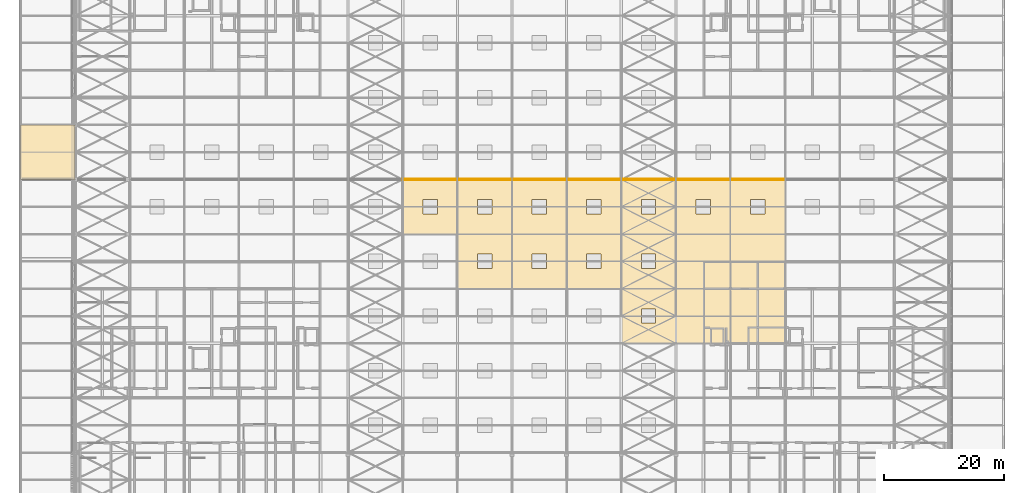
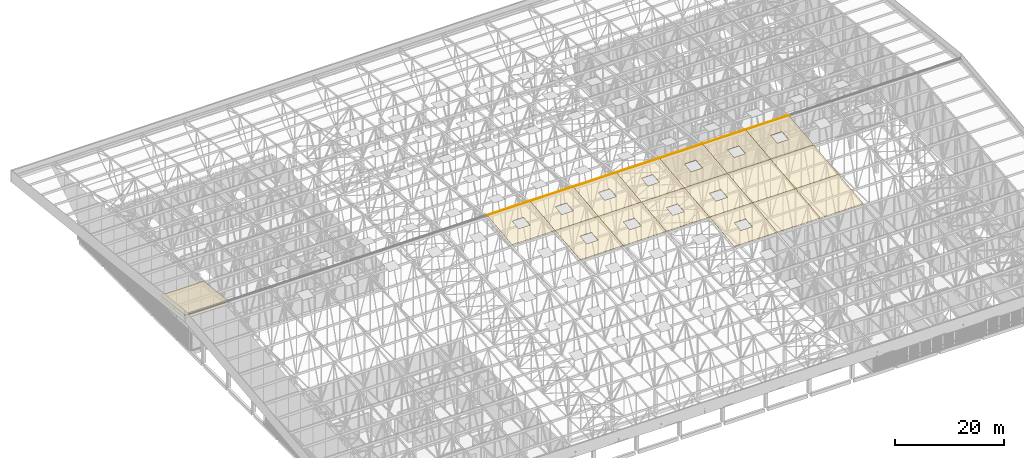
# One storey, part 469 of 500: 33 coverings.
"""IFC4 building model written with IfcOpenShell, lengths in metres."""

import ifcopenshell
import ifcopenshell.guid

model = None  # the IFC model being written
_history = None  # IfcOwnerHistory: only IFC2X3 demands one
_inside = {}  # id of a spatial element -> (the spatial element, [elements in it])
_under = {}  # id of a project, library or spatial element -> (it, [spatial elements below it])
_declared = {}  # id of a project -> (the project, [libraries it declares])
_typed = {}  # id of a type object -> (the type object, [elements of that type])
_made_of = {}  # id of a material, layer set ... -> (it, [elements and type objects made of it])


def new_model(schema):
    """Start an empty IFC model of exactly this schema.

    Asked for "IFC4X3", IfcOpenShell would pick the latest addendum, in which some entities
    have other attributes; the version numbers below select the first issue.
    IFC2X3 requires an IfcOwnerHistory on every rooted entity: one is made here for all.
    """
    global model, _history
    if schema == "IFC4X3":
        model = ifcopenshell.file(schema_version=(4, 3, 0, 0))
    else:
        model = ifcopenshell.file(schema=schema)
    _inside.clear()
    _under.clear()
    _declared.clear()
    _typed.clear()
    _made_of.clear()
    _history = None
    if model.schema == "IFC2X3":
        org = make("IfcOrganization", Name="unknown")
        user = make(
            "IfcPersonAndOrganization",
            ThePerson=make("IfcPerson", FamilyName="unknown"),
            TheOrganization=org,
        )
        app = make(
            "IfcApplication",
            ApplicationDeveloper=org,
            Version="unknown",
            ApplicationFullName="unknown",
            ApplicationIdentifier="unknown",
        )
        _history = make(
            "IfcOwnerHistory",
            OwningUser=user,
            OwningApplication=app,
            ChangeAction="ADDED",
            CreationDate=0,
        )
    return model


def make(cls, **values):
    """One entity of the class cls with the attributes given. An attribute that is None is left unset."""
    return model.create_entity(
        cls, **{name: value for name, value in values.items() if value is not None}
    )


def rooted(cls, **values):
    """An entity with a GlobalId (a new one), such as an element, a storey or a relation."""
    return make(cls, GlobalId=ifcopenshell.guid.new(), OwnerHistory=_history, **values)


def si_unit(unit_type, name, prefix=None):
    """IfcSIUnit, for example si_unit("LENGTHUNIT", "METRE", prefix="MILLI")."""
    return make("IfcSIUnit", UnitType=unit_type, Prefix=prefix, Name=name)


def assignment(units):
    """IfcUnitAssignment: the units of a project."""
    return None if units is None else make("IfcUnitAssignment", Units=units)


def point(xyz):
    """IfcCartesianPoint."""
    return None if xyz is None else make("IfcCartesianPoint", Coordinates=xyz)


def direction(xyz):
    """IfcDirection."""
    return None if xyz is None else make("IfcDirection", DirectionRatios=xyz)


def frame(location, z_axis=None, x_axis=None):
    """IfcAxis2Placement3D, a coordinate frame: its origin and axes. An axis left out is left unset."""
    return make(
        "IfcAxis2Placement3D",
        Location=point(location),
        Axis=direction(z_axis),
        RefDirection=direction(x_axis),
    )


def origin():
    """The frame at (0, 0, 0) with its axes left unset."""
    return frame((0.0, 0.0, 0.0))


def place(relative_to, where):
    """IfcLocalPlacement: puts the frame where relative to a parent placement (None: the world)."""
    return make(
        "IfcLocalPlacement", PlacementRelTo=relative_to, RelativePlacement=where
    )


def context(
    kind, dimensions, precision=None, world=None, true_north=None, identifier=None
):
    """IfcGeometricRepresentationContext, for example the 3D "Model" context."""
    return make(
        "IfcGeometricRepresentationContext",
        ContextIdentifier=identifier,
        ContextType=kind,
        CoordinateSpaceDimension=dimensions,
        Precision=precision,
        WorldCoordinateSystem=world,
        TrueNorth=true_north,
    )


def subcontext(parent, identifier, kind, view, scale=None):
    """IfcGeometricRepresentationSubContext, for example "Body" below "Model"."""
    return make(
        "IfcGeometricRepresentationSubContext",
        ContextIdentifier=identifier,
        ContextType=kind,
        ParentContext=parent,
        TargetScale=scale,
        TargetView=view,
    )


def project(units=None, contexts=None):
    """IfcProject with its units and contexts."""
    return rooted(
        "IfcProject",
        Name="project",
        RepresentationContexts=contexts,
        UnitsInContext=assignment(units),
    )


def spatial(cls, under=None, at=None, **own):
    """A site, building, storey or space (cls), placed at a placement, below another one or the project."""
    s = rooted(cls, ObjectPlacement=at, **own)
    if under is not None:
        _under.setdefault(under.id(), (under, []))[1].append(s)
    return s


def polyline(points):
    """IfcPolyline through the points."""
    return make("IfcPolyline", Points=[point(p) for p in points])


def outline(outer, holes=None, kind="AREA"):
    """IfcArbitraryClosedProfileDef: a profile drawn as a closed curve; with holes, ...WithVoids."""
    if holes is None:
        return make("IfcArbitraryClosedProfileDef", ProfileType=kind, OuterCurve=outer)
    return make(
        "IfcArbitraryProfileDefWithVoids",
        ProfileType=kind,
        OuterCurve=outer,
        InnerCurves=holes,
    )


def extrude(swept, where, along, depth):
    """IfcExtrudedAreaSolid: the profile swept, set in the frame where, extruded along a direction by depth."""
    return make(
        "IfcExtrudedAreaSolid",
        SweptArea=swept,
        Position=where,
        ExtrudedDirection=direction(along),
        Depth=depth,
    )


def shape(context_of_items, identifier, shape_type, items):
    """IfcShapeRepresentation: the items that make up one representation, for example the "Body"."""
    return make(
        "IfcShapeRepresentation",
        ContextOfItems=context_of_items,
        RepresentationIdentifier=identifier,
        RepresentationType=shape_type,
        Items=items,
    )


def material(Name=None, Category=None):
    """IfcMaterial."""
    return make("IfcMaterial", Name=Name, Category=Category)


def layer(
    of_material, thickness, ventilated=None, Name=None, Category=None, Priority=None
):
    """IfcMaterialLayer: one layer of a wall or slab, of a material (None: an air gap)."""
    return make(
        "IfcMaterialLayer",
        Material=of_material,
        LayerThickness=thickness,
        IsVentilated=ventilated,
        Name=Name,
        Category=Category,
        Priority=Priority,
    )


def layer_set(layers, Name=None):
    """IfcMaterialLayerSet."""
    return make("IfcMaterialLayerSet", MaterialLayers=layers, LayerSetName=Name)


def made_of(thing, what):
    """Note that an element or type object is made of a material, layer set ...; save() writes the relation."""
    if what is not None:
        _made_of.setdefault(what.id(), (what, []))[1].append(thing)
    return thing


def type_object(cls, material=None, **own):
    """A type object (cls), such as IfcWallType, which elements share."""
    return made_of(rooted(cls, **own), material)


def element(
    cls,
    number,
    at=None,
    inside=None,
    cuts=None,
    type_object=None,
    material=None,
    context=None,
    identifier="Body",
    shape_type=None,
    held_by="IfcProductDefinitionShape",
    body=None,
    shapes=None,
    **own,
):
    """One element of the class cls, such as IfcWall. Its Tag is "e" and its number.

    at: its placement. inside: the storey or other place that contains it. cuts: it is an
    opening in that element (IfcRelVoidsElement). A single representation is given by context,
    identifier, shape_type and body (its items); several are given by shapes. held_by: the class
    of the entity that holds the representations. save() writes the other relations.
    """
    e = rooted(cls, Tag="e%d" % number, ObjectPlacement=at, **own)
    if body is not None:
        shapes = [shape(context, identifier, shape_type, body)]
    if shapes is not None:
        e.Representation = make(held_by, Representations=shapes)
    if inside is not None:
        _inside.setdefault(inside.id(), (inside, []))[1].append(e)
    if cuts is not None:
        rooted(
            "IfcRelVoidsElement", RelatingBuildingElement=cuts, RelatedOpeningElement=e
        )
    if type_object is not None:
        _typed.setdefault(type_object.id(), (type_object, []))[1].append(e)
    return made_of(e, material)


def aggregate(whole, parts):
    """IfcRelAggregates: a whole, such as a stair, and the parts it consists of."""
    return rooted("IfcRelAggregates", RelatingObject=whole, RelatedObjects=parts)


def save(model, path):
    """Write the relations noted so far, then the file.

    IfcRelAggregates (storeys below a building ...), IfcRelContainedInSpatialStructure (elements
    in a storey), IfcRelDefinesByType, IfcRelAssociatesMaterial and IfcRelDeclares: one each for
    every whole, place, type object, material and project.
    """
    for whole, parts in _under.values():
        aggregate(whole, parts)
    for where, things in _inside.values():
        rooted(
            "IfcRelContainedInSpatialStructure",
            RelatedElements=things,
            RelatingStructure=where,
        )
    for kind, things in _typed.values():
        rooted("IfcRelDefinesByType", RelatedObjects=things, RelatingType=kind)
    for what, things in _made_of.values():
        rooted("IfcRelAssociatesMaterial", RelatedObjects=things, RelatingMaterial=what)
    for by, libraries in _declared.values():
        rooted("IfcRelDeclares", RelatingContext=by, RelatedDefinitions=libraries)
    model.write(path)


model = new_model("IFC4")

# Units and contexts
model_context = context("Model", 3, precision=1e-05, world=origin(), true_north=direction((0.0, 1.0)))
body_context = subcontext(model_context, "Body", "Model", "MODEL_VIEW")
ifc_project = project(units=[si_unit("LENGTHUNIT", "METRE"), si_unit("AREAUNIT", "SQUARE_METRE"), si_unit("VOLUMEUNIT", "CUBIC_METRE"), si_unit("PLANEANGLEUNIT", "RADIAN"), si_unit("MASSUNIT", "GRAM", prefix="KILO")], contexts=[model_context])

# Site, building, storey
site_placement = place(None, origin())
site = spatial("IfcSite", under=ifc_project, at=site_placement, CompositionType="ELEMENT")
building_placement = place(site_placement, origin())
building = spatial("IfcBuilding", under=site, at=building_placement, Name="Shirokan Park Arena", CompositionType="ELEMENT")
storey_placement = place(building_placement, frame((0.0, 0.0, 29.1201171875)))
storey = spatial("IfcBuildingStorey", under=building, at=storey_placement, Name="L06", CompositionType="ELEMENT", Elevation=29.1201171875)

# Coverings
ifc_material_1 = material(Name="Zinc standing seam sheet")
ifc_layer_1 = layer(ifc_material_1, 0.06005859375)
ifc_layer_set_1 = layer_set([ifc_layer_1], Name="Zinc standing seam sheet 60 mm")
covering_type_1 = type_object("IfcCoveringType", Name="Ridge cap 150x60", PredefinedType="CLADDING", material=ifc_layer_set_1)
covering_1_placement = place(storey_placement, frame((54.60009765625, 54.449951171875, 19.213623046875), z_axis=(0.0, -0.113090934841, 0.993584641818), x_axis=(1.0, 0.0, 0.0)))
element("IfcCovering", 1, at=covering_1_placement, inside=storey, type_object=covering_type_1, Name="Ridge cap", PredefinedType="CLADDING", context=body_context, shape_type="SweptSolid", body=[
    extrude(outline(polyline([(0.0, 0.0), (9.099853515625, 0.0), (9.099853515625, 0.15111594730395445), (0.0, 0.15111594730395445), (0.0, 0.0)])), origin(), (0.0, 0.0, -1.0), 0.06005859375),
])
covering_2_placement = place(storey_placement, frame((54.60009765625, 54.60009765625, 19.230712890625), z_axis=(0.0, 0.113272760674, 0.993563929342), x_axis=(1.0, 0.0, 0.0)))
element("IfcCovering", 2, at=covering_2_placement, inside=storey, type_object=covering_type_1, Name="Ridge cap", PredefinedType="CLADDING", context=body_context, shape_type="SweptSolid", body=[
    extrude(outline(polyline([(0.0, 0.0), (9.099853515625, 0.0), (9.099853515625, 0.1508733754548581), (0.0, 0.1508733754548581), (0.0, 0.0)])), origin(), (0.0, 0.0, -1.0), 0.06005859375),
])
covering_3_placement = place(storey_placement, frame((63.699951171875, 54.449951171875, 19.213623046875), z_axis=(0.0, -0.113090934841, 0.993584641818), x_axis=(1.0, 0.0, 0.0)))
element("IfcCovering", 3, at=covering_3_placement, inside=storey, type_object=covering_type_1, Name="Ridge cap", PredefinedType="CLADDING", context=body_context, shape_type="SweptSolid", body=[
    extrude(outline(polyline([(0.0, 0.0), (9.10009765625, 0.0), (9.10009765625, 0.15111594730395445), (0.0, 0.15111594730395445), (0.0, 0.0)])), origin(), (0.0, 0.0, -1.0), 0.06005859375),
])
covering_4_placement = place(storey_placement, frame((63.699951171875, 54.60009765625, 19.230712890625), z_axis=(0.0, 0.113272760674, 0.993563929342), x_axis=(1.0, 0.0, 0.0)))
element("IfcCovering", 4, at=covering_4_placement, inside=storey, type_object=covering_type_1, Name="Ridge cap", PredefinedType="CLADDING", context=body_context, shape_type="SweptSolid", body=[
    extrude(outline(polyline([(0.0, 0.0), (9.10009765625, 0.0), (9.10009765625, 0.1508733754548581), (0.0, 0.1508733754548581), (0.0, 0.0)])), origin(), (0.0, 0.0, -1.0), 0.06005859375),
])
covering_5_placement = place(storey_placement, frame((72.800048828125, 54.449951171875, 19.213623046875), z_axis=(0.0, -0.113090934841, 0.993584641818), x_axis=(1.0, 0.0, 0.0)))
element("IfcCovering", 5, at=covering_5_placement, inside=storey, type_object=covering_type_1, Name="Ridge cap", PredefinedType="CLADDING", context=body_context, shape_type="SweptSolid", body=[
    extrude(outline(polyline([(0.0, 0.0), (9.099853515625, 0.0), (9.099853515625, 0.15111594730395445), (0.0, 0.15111594730395445), (0.0, 0.0)])), origin(), (0.0, 0.0, -1.0), 0.06005859375),
])
covering_6_placement = place(storey_placement, frame((72.800048828125, 54.60009765625, 19.230712890625), z_axis=(0.0, 0.113272760674, 0.993563929342), x_axis=(1.0, 0.0, 0.0)))
element("IfcCovering", 6, at=covering_6_placement, inside=storey, type_object=covering_type_1, Name="Ridge cap", PredefinedType="CLADDING", context=body_context, shape_type="SweptSolid", body=[
    extrude(outline(polyline([(0.0, 0.0), (9.099853515625, 0.0), (9.099853515625, 0.1508733754548581), (0.0, 0.1508733754548581), (0.0, 0.0)])), origin(), (0.0, 0.0, -1.0), 0.06005859375),
])
covering_7_placement = place(storey_placement, frame((81.89990234375, 54.449951171875, 19.213623046875), z_axis=(0.0, -0.113090934841, 0.993584641818), x_axis=(1.0, 0.0, 0.0)))
element("IfcCovering", 7, at=covering_7_placement, inside=storey, type_object=covering_type_1, Name="Ridge cap", PredefinedType="CLADDING", context=body_context, shape_type="SweptSolid", body=[
    extrude(outline(polyline([(0.0, 0.0), (9.10009765625, 0.0), (9.10009765625, 0.15111594730395445), (0.0, 0.15111594730395445), (0.0, 0.0)])), origin(), (0.0, 0.0, -1.0), 0.06005859375),
])
covering_8_placement = place(storey_placement, frame((81.89990234375, 54.60009765625, 19.230712890625), z_axis=(0.0, 0.113272760674, 0.993563929342), x_axis=(1.0, 0.0, 0.0)))
element("IfcCovering", 8, at=covering_8_placement, inside=storey, type_object=covering_type_1, Name="Ridge cap", PredefinedType="CLADDING", context=body_context, shape_type="SweptSolid", body=[
    extrude(outline(polyline([(0.0, 0.0), (9.10009765625, 0.0), (9.10009765625, 0.1508733754548581), (0.0, 0.1508733754548581), (0.0, 0.0)])), origin(), (0.0, 0.0, -1.0), 0.06005859375),
])
covering_9_placement = place(storey_placement, frame((91.0, 54.449951171875, 19.213623046875), z_axis=(0.0, -0.113090934841, 0.993584641818), x_axis=(1.0, 0.0, 0.0)))
element("IfcCovering", 9, at=covering_9_placement, inside=storey, type_object=covering_type_1, Name="Ridge cap", PredefinedType="CLADDING", context=body_context, shape_type="SweptSolid", body=[
    extrude(outline(polyline([(0.0, 0.0), (9.10009765625, 0.0), (9.10009765625, 0.15111594730395445), (0.0, 0.15111594730395445), (0.0, 0.0)])), origin(), (0.0, 0.0, -1.0), 0.06005859375),
])
covering_10_placement = place(storey_placement, frame((91.0, 54.60009765625, 19.230712890625), z_axis=(0.0, 0.113272760674, 0.993563929342), x_axis=(1.0, 0.0, 0.0)))
element("IfcCovering", 10, at=covering_10_placement, inside=storey, type_object=covering_type_1, Name="Ridge cap", PredefinedType="CLADDING", context=body_context, shape_type="SweptSolid", body=[
    extrude(outline(polyline([(0.0, 0.0), (9.10009765625, 0.0), (9.10009765625, 0.1508733754548581), (0.0, 0.1508733754548581), (0.0, 0.0)])), origin(), (0.0, 0.0, -1.0), 0.06005859375),
])
covering_11_placement = place(storey_placement, frame((100.10009765625, 54.449951171875, 19.213623046875), z_axis=(0.0, -0.113090934841, 0.993584641818), x_axis=(1.0, 0.0, 0.0)))
element("IfcCovering", 11, at=covering_11_placement, inside=storey, type_object=covering_type_1, Name="Ridge cap", PredefinedType="CLADDING", context=body_context, shape_type="SweptSolid", body=[
    extrude(outline(polyline([(0.0, 0.0), (9.099853515625, 0.0), (9.099853515625, 0.15111594730395445), (0.0, 0.15111594730395445), (0.0, 0.0)])), origin(), (0.0, 0.0, -1.0), 0.06005859375),
])
covering_12_placement = place(storey_placement, frame((100.10009765625, 54.60009765625, 19.230712890625), z_axis=(0.0, 0.113272760674, 0.993563929342), x_axis=(1.0, 0.0, 0.0)))
element("IfcCovering", 12, at=covering_12_placement, inside=storey, type_object=covering_type_1, Name="Ridge cap", PredefinedType="CLADDING", context=body_context, shape_type="SweptSolid", body=[
    extrude(outline(polyline([(0.0, 0.0), (9.099853515625, 0.0), (9.099853515625, 0.1508733754548581), (0.0, 0.1508733754548581), (0.0, 0.0)])), origin(), (0.0, 0.0, -1.0), 0.06005859375),
])
covering_13_placement = place(storey_placement, frame((109.199951171875, 54.449951171875, 19.213623046875), z_axis=(0.0, -0.113090934841, 0.993584641818), x_axis=(1.0, 0.0, 0.0)))
element("IfcCovering", 13, at=covering_13_placement, inside=storey, type_object=covering_type_1, Name="Ridge cap", PredefinedType="CLADDING", context=body_context, shape_type="SweptSolid", body=[
    extrude(outline(polyline([(0.0, 0.0), (9.10009765625, 0.0), (9.10009765625, 0.15111594730395445), (0.0, 0.15111594730395445), (0.0, 0.0)])), origin(), (0.0, 0.0, -1.0), 0.06005859375),
])
covering_14_placement = place(storey_placement, frame((109.199951171875, 54.60009765625, 19.230712890625), z_axis=(0.0, 0.113272760674, 0.993563929342), x_axis=(1.0, 0.0, 0.0)))
element("IfcCovering", 14, at=covering_14_placement, inside=storey, type_object=covering_type_1, Name="Ridge cap", PredefinedType="CLADDING", context=body_context, shape_type="SweptSolid", body=[
    extrude(outline(polyline([(0.0, 0.0), (9.10009765625, 0.0), (9.10009765625, 0.1508733754548581), (0.0, 0.1508733754548581), (0.0, 0.0)])), origin(), (0.0, 0.0, -1.0), 0.06005859375),
])
ifc_material_2 = material(Name="Bituminous roofing membrane")
ifc_layer_2 = layer(ifc_material_2, 0.010009765625, Name="Bituminous roofing membrane")
ifc_material_3 = material(Name="Mineral wool insulation")
ifc_layer_3 = layer(ifc_material_3, 0.050048828125, Name="Mineral wool insulation")
ifc_layer_set_2 = layer_set([ifc_layer_2, ifc_layer_3], Name="Bituminous roofing membrane + Mineral wool insulation")
covering_type_2 = type_object("IfcCoveringType", Name="Roofing membrane 60", PredefinedType="ROOFING", material=ifc_layer_set_2)
covering_15_placement = place(storey_placement, frame((-9.10009765625, 54.60009765625, 19.170654296875), z_axis=(0.0, 0.113552605302, 0.993531985308), x_axis=(1.0, 0.0, 0.0)))
element("IfcCovering", 15, at=covering_15_placement, inside=storey, type_object=covering_type_2, Name="Roofing", PredefinedType="ROOFING", context=body_context, shape_type="SweptSolid", body=[
    extrude(outline(polyline([(0.0, 0.0), (9.10009765625, 0.0), (9.10009765625, 9.159094674549367), (0.0, 9.159094674549367), (0.0, 0.0)])), origin(), (0.0, 0.0, -1.0), 0.06005859375),
])
covering_16_placement = place(storey_placement, frame((54.60009765625, 45.5, 18.130615234375), z_axis=(0.0, -0.113549598152, 0.993532328996), x_axis=(1.0, 0.0, 0.0)))
element("IfcCovering", 16, at=covering_16_placement, inside=storey, type_object=covering_type_2, Name="Roofing", PredefinedType="ROOFING", context=body_context, shape_type="SweptSolid", body=[
    extrude(outline(polyline([(0.0, 0.0), (9.099853515625, 0.0), (9.099853515625, 9.15933723611117), (0.0, 9.15933723611117), (0.0, 0.0)]), holes=[polyline([(5.75, 3.371898532319491), (5.75, 5.787438703791679), (3.349853515625, 5.787438703791679), (3.349853515625, 3.371898532319491), (5.75, 3.371898532319491)])]), origin(), (0.0, 0.0, -1.0), 0.06005859375),
])
covering_17_placement = place(storey_placement, frame((63.699951171875, 36.39990234375, 17.090576171875), z_axis=(0.0, -0.113549598152, 0.993532328996), x_axis=(1.0, 0.0, 0.0)))
element("IfcCovering", 17, at=covering_17_placement, inside=storey, type_object=covering_type_2, Name="Roofing", PredefinedType="ROOFING", context=body_context, shape_type="SweptSolid", body=[
    extrude(outline(polyline([(0.0, 0.0), (9.10009765625, 0.0), (9.10009765625, 9.15933723611117), (0.0, 9.15933723611117), (0.0, 0.0)]), holes=[polyline([(5.75, 3.371926254389353), (5.75, 5.78743870379168), (3.35009765625, 5.78743870379168), (3.35009765625, 3.371926254389353), (5.75, 3.371926254389353)])]), origin(), (0.0, 0.0, -1.0), 0.06005859375),
])
covering_18_placement = place(storey_placement, frame((63.699951171875, 45.5, 18.130615234375), z_axis=(0.0, -0.113549598152, 0.993532328996), x_axis=(1.0, 0.0, 0.0)))
element("IfcCovering", 18, at=covering_18_placement, inside=storey, type_object=covering_type_2, Name="Roofing", PredefinedType="ROOFING", context=body_context, shape_type="SweptSolid", body=[
    extrude(outline(polyline([(0.0, 0.0), (9.10009765625, 0.0), (9.10009765625, 9.15933723611117), (0.0, 9.15933723611117), (0.0, 0.0)]), holes=[polyline([(5.75, 3.3718985323194914), (5.75, 5.78743870379168), (3.35009765625, 5.78743870379168), (3.35009765625, 3.3718985323194914), (5.75, 3.3718985323194914)])]), origin(), (0.0, 0.0, -1.0), 0.06005859375),
])
covering_19_placement = place(storey_placement, frame((72.800048828125, 36.39990234375, 17.090576171875), z_axis=(0.0, -0.113549598152, 0.993532328996), x_axis=(1.0, 0.0, 0.0)))
element("IfcCovering", 19, at=covering_19_placement, inside=storey, type_object=covering_type_2, Name="Roofing", PredefinedType="ROOFING", context=body_context, shape_type="SweptSolid", body=[
    extrude(outline(polyline([(0.0, 0.0), (9.099853515625, 0.0), (9.099853515625, 9.15933723611117), (0.0, 9.15933723611117), (0.0, 0.0)]), holes=[polyline([(5.75, 3.3719262543893525), (5.75, 5.787438703791679), (3.349853515625, 5.787438703791679), (3.349853515625, 3.3719262543893525), (5.75, 3.3719262543893525)])]), origin(), (0.0, 0.0, -1.0), 0.06005859375),
])
covering_20_placement = place(storey_placement, frame((72.800048828125, 45.5, 18.130615234375), z_axis=(0.0, -0.113549598152, 0.993532328996), x_axis=(1.0, 0.0, 0.0)))
element("IfcCovering", 20, at=covering_20_placement, inside=storey, type_object=covering_type_2, Name="Roofing", PredefinedType="ROOFING", context=body_context, shape_type="SweptSolid", body=[
    extrude(outline(polyline([(0.0, 0.0), (9.099853515625, 0.0), (9.099853515625, 9.15933723611117), (0.0, 9.15933723611117), (0.0, 0.0)]), holes=[polyline([(5.75, 3.371898532319491), (5.75, 5.787438703791679), (3.349853515625, 5.787438703791679), (3.349853515625, 3.371898532319491), (5.75, 3.371898532319491)])]), origin(), (0.0, 0.0, -1.0), 0.06005859375),
])
covering_21_placement = place(storey_placement, frame((81.89990234375, 36.39990234375, 17.090576171875), z_axis=(0.0, -0.113549598152, 0.993532328996), x_axis=(1.0, 0.0, 0.0)))
element("IfcCovering", 21, at=covering_21_placement, inside=storey, type_object=covering_type_2, Name="Roofing", PredefinedType="ROOFING", context=body_context, shape_type="SweptSolid", body=[
    extrude(outline(polyline([(0.0, 0.0), (9.10009765625, 0.0), (9.10009765625, 9.15933723611117), (0.0, 9.15933723611117), (0.0, 0.0)]), holes=[polyline([(5.75, 3.371926254389353), (5.75, 5.78743870379168), (3.35009765625, 5.78743870379168), (3.35009765625, 3.371926254389353), (5.75, 3.371926254389353)])]), origin(), (0.0, 0.0, -1.0), 0.06005859375),
])
covering_22_placement = place(storey_placement, frame((81.89990234375, 45.5, 18.130615234375), z_axis=(0.0, -0.113549598152, 0.993532328996), x_axis=(1.0, 0.0, 0.0)))
element("IfcCovering", 22, at=covering_22_placement, inside=storey, type_object=covering_type_2, Name="Roofing", PredefinedType="ROOFING", context=body_context, shape_type="SweptSolid", body=[
    extrude(outline(polyline([(0.0, 0.0), (9.10009765625, 0.0), (9.10009765625, 9.15933723611117), (0.0, 9.15933723611117), (0.0, 0.0)]), holes=[polyline([(5.75, 3.3718985323194914), (5.75, 5.78743870379168), (3.35009765625, 5.78743870379168), (3.35009765625, 3.3718985323194914), (5.75, 3.3718985323194914)])]), origin(), (0.0, 0.0, -1.0), 0.06005859375),
])
covering_23_placement = place(storey_placement, frame((91.0, 27.300048828125, 16.05078125), z_axis=(0.0, -0.113526293343, 0.993534992197), x_axis=(1.0, 0.0, 0.0)))
element("IfcCovering", 23, at=covering_23_placement, inside=storey, type_object=covering_type_2, Name="Roofing", PredefinedType="ROOFING", context=body_context, shape_type="SweptSolid", body=[
    extrude(outline(polyline([(0.0, 0.0), (9.10009765625, 0.0), (9.10009765625, 9.159066954957241), (0.0, 9.159066954957241), (0.0, 0.0)]), holes=[polyline([(5.75, 3.371655970677786), (5.75, 5.787410984279454), (3.35009765625, 5.787410984279454), (3.35009765625, 3.371655970677786), (5.75, 3.371655970677786)])]), origin(), (0.0, 0.0, -1.0), 0.06005859375),
])
covering_24_placement = place(storey_placement, frame((91.0, 36.39990234375, 17.090576171875), z_axis=(0.0, -0.113549598152, 0.993532328996), x_axis=(1.0, 0.0, 0.0)))
element("IfcCovering", 24, at=covering_24_placement, inside=storey, type_object=covering_type_2, Name="Roofing", PredefinedType="ROOFING", context=body_context, shape_type="SweptSolid", body=[
    extrude(outline(polyline([(0.0, 0.0), (9.10009765625, 0.0), (9.10009765625, 9.15933723611117), (0.0, 9.15933723611117), (0.0, 0.0)]), holes=[polyline([(5.75, 3.371926254389353), (5.75, 5.78743870379168), (3.35009765625, 5.78743870379168), (3.35009765625, 3.371926254389353), (5.75, 3.371926254389353)])]), origin(), (0.0, 0.0, -1.0), 0.06005859375),
])
covering_25_placement = place(storey_placement, frame((91.0, 45.5, 18.130615234375), z_axis=(0.0, -0.113549598152, 0.993532328996), x_axis=(1.0, 0.0, 0.0)))
element("IfcCovering", 25, at=covering_25_placement, inside=storey, type_object=covering_type_2, Name="Roofing", PredefinedType="ROOFING", context=body_context, shape_type="SweptSolid", body=[
    extrude(outline(polyline([(0.0, 0.0), (9.10009765625, 0.0), (9.10009765625, 9.15933723611117), (0.0, 9.15933723611117), (0.0, 0.0)]), holes=[polyline([(5.75, 3.3718985323194914), (5.75, 5.78743870379168), (3.35009765625, 5.78743870379168), (3.35009765625, 3.3718985323194914), (5.75, 3.3718985323194914)])]), origin(), (0.0, 0.0, -1.0), 0.06005859375),
])
covering_26_placement = place(storey_placement, frame((100.10009765625, 27.300048828125, 16.05078125), z_axis=(0.0, -0.113526293343, 0.993534992197), x_axis=(1.0, 0.0, 0.0)))
element("IfcCovering", 26, at=covering_26_placement, inside=storey, type_object=covering_type_2, Name="Roofing", PredefinedType="ROOFING", context=body_context, shape_type="SweptSolid", body=[
    extrude(outline(polyline([(0.0, 0.0), (9.099853515625, 0.0), (9.099853515625, 9.159066954957241), (0.0, 9.159066954957241), (0.0, 0.0)])), origin(), (0.0, 0.0, -1.0), 0.06005859375),
])
covering_27_placement = place(storey_placement, frame((100.10009765625, 36.39990234375, 17.090576171875), z_axis=(0.0, -0.113549598152, 0.993532328996), x_axis=(1.0, 0.0, 0.0)))
element("IfcCovering", 27, at=covering_27_placement, inside=storey, type_object=covering_type_2, Name="Roofing", PredefinedType="ROOFING", context=body_context, shape_type="SweptSolid", body=[
    extrude(outline(polyline([(0.0, 0.0), (9.099853515625, 0.0), (9.099853515625, 9.15933723611117), (0.0, 9.15933723611117), (0.0, 0.0)])), origin(), (0.0, 0.0, -1.0), 0.06005859375),
])
covering_28_placement = place(storey_placement, frame((100.10009765625, 45.5, 18.130615234375), z_axis=(0.0, -0.113549598152, 0.993532328996), x_axis=(1.0, 0.0, 0.0)))
element("IfcCovering", 28, at=covering_28_placement, inside=storey, type_object=covering_type_2, Name="Roofing", PredefinedType="ROOFING", context=body_context, shape_type="SweptSolid", body=[
    extrude(outline(polyline([(0.0, 0.0), (9.099853515625, 0.0), (9.099853515625, 9.15933723611117), (0.0, 9.15933723611117), (0.0, 0.0)]), holes=[polyline([(5.75, 3.371898532319491), (5.75, 5.787438703791679), (3.349853515625, 5.787438703791679), (3.349853515625, 3.371898532319491), (5.75, 3.371898532319491)])]), origin(), (0.0, 0.0, -1.0), 0.06005859375),
])
covering_29_placement = place(storey_placement, frame((109.199951171875, 27.300048828125, 16.05078125), z_axis=(0.0, -0.113526293343, 0.993534992197), x_axis=(1.0, 0.0, 0.0)))
element("IfcCovering", 29, at=covering_29_placement, inside=storey, type_object=covering_type_2, Name="Roofing", PredefinedType="ROOFING", context=body_context, shape_type="SweptSolid", body=[
    extrude(outline(polyline([(0.0, 0.0), (9.10009765625, 0.0), (9.10009765625, 9.159066954957241), (0.0, 9.159066954957241), (0.0, 0.0)])), origin(), (0.0, 0.0, -1.0), 0.06005859375),
])
covering_30_placement = place(storey_placement, frame((109.199951171875, 36.39990234375, 17.090576171875), z_axis=(0.0, -0.113549598152, 0.993532328996), x_axis=(1.0, 0.0, 0.0)))
element("IfcCovering", 30, at=covering_30_placement, inside=storey, type_object=covering_type_2, Name="Roofing", PredefinedType="ROOFING", context=body_context, shape_type="SweptSolid", body=[
    extrude(outline(polyline([(0.0, 0.0), (9.10009765625, 0.0), (9.10009765625, 9.15933723611117), (0.0, 9.15933723611117), (0.0, 0.0)])), origin(), (0.0, 0.0, -1.0), 0.06005859375),
])
covering_31_placement = place(storey_placement, frame((109.199951171875, 45.5, 18.130615234375), z_axis=(0.0, -0.113549598152, 0.993532328996), x_axis=(1.0, 0.0, 0.0)))
element("IfcCovering", 31, at=covering_31_placement, inside=storey, type_object=covering_type_2, Name="Roofing", PredefinedType="ROOFING", context=body_context, shape_type="SweptSolid", body=[
    extrude(outline(polyline([(0.0, 0.0), (9.10009765625, 0.0), (9.10009765625, 9.15933723611117), (0.0, 9.15933723611117), (0.0, 0.0)]), holes=[polyline([(5.75, 3.3718985323194914), (5.75, 5.78743870379168), (3.35009765625, 5.78743870379168), (3.35009765625, 3.3718985323194914), (5.75, 3.3718985323194914)])]), origin(), (0.0, 0.0, -1.0), 0.06005859375),
])
ifc_material_4 = material(Name="Timber soffit boards (cedar)", Category="wood")
ifc_layer_4 = layer(ifc_material_4, 0.030029296875)
ifc_layer_set_3 = layer_set([ifc_layer_4], Name="Timber soffit boards (cedar) 30 mm")
covering_type_3 = type_object("IfcCoveringType", Name="Timber boarded soffit panel", PredefinedType="CLADDING", material=ifc_layer_set_3)
covering_32_placement = place(storey_placement, origin())
element("IfcCovering", 32, at=covering_32_placement, inside=storey, type_object=covering_type_3, Name="Rake soffit west bay 15", PredefinedType="CLADDING", context=body_context, shape_type="SweptSolid", body=[
    extrude(outline(polyline([(0.0, 0.0), (0.11999999999999922, 0.0), (0.11999999999999922, -4.579617887990217), (0.0, -4.579617887990217), (0.0, 0.0)])), frame((-8.97998046875, 54.60009765625, 18.4619140625), z_axis=(0.0, 0.113546591161, 0.993532672656), x_axis=(-1.0, 0.0, 0.0)), (0.0, 0.0, -1.0), 0.030029296875),
    extrude(outline(polyline([(0.0, 0.0), (0.12, 0.0), (0.12, -4.579617887990218), (0.0, -4.579617887990218), (0.0, 0.0)])), frame((-0.2470703125, 59.14990234375, 17.94189453125), z_axis=(0.0, 0.113546591161, 0.993532672656), x_axis=(1.0, 0.0, 0.0)), (0.0, 0.0, -1.0), 0.030029296875),
    extrude(outline(polyline([(0.0, 0.0), (0.12078064455863562, 0.0), (0.12078064455863562, -8.733000000000002), (0.0, -8.733000000000002), (0.0, 0.0)])), frame((-0.2470703125, 59.14990234375, 17.94189453125), z_axis=(0.0, 0.11351156512, 0.993536675007), x_axis=(0.0, -0.993536675007, 0.11351156512)), (0.0, 0.0, -1.0), 0.030029296875),
    extrude(outline(polyline([(0.0, 0.0), (0.12078064455863562, 0.0), (0.12078064455863562, -8.733000000000002), (0.0, -8.733000000000002), (0.0, 0.0)])), frame((-8.97998046875, 54.60009765625, 18.4619140625), z_axis=(0.0, 0.11351156512, 0.993536675007), x_axis=(0.0, 0.993536675007, -0.11351156512)), (0.0, 0.0, -1.0), 0.030029296875),
    extrude(outline(polyline([(0.0, 0.0), (8.733, 0.0), (8.733, -0.18452428160000803), (0.0, -0.18452428160000803), (0.0, 0.0)])), frame((-8.97998046875, 54.9033203125, 18.42724609375), z_axis=(0.0, 0.113589386818, 0.99352778079), x_axis=(1.0, 0.0, 0.0)), (0.0, 0.0, -1.0), 0.030029296875),
    extrude(outline(polyline([(0.0, 0.0), (8.733, 0.0), (8.733, -0.30531372586243744), (0.0, -0.30531372586243744), (0.0, 0.0)])), frame((-8.97998046875, 55.206787109375, 18.392578125), z_axis=(0.0, 0.113522573877, 0.993535417195), x_axis=(1.0, 0.0, 0.0)), (0.0, 0.0, -1.0), 0.030029296875),
    extrude(outline(polyline([(0.0, 0.0), (8.733, 0.0), (8.733, -0.3053049259347073), (0.0, -0.3053049259347073), (0.0, 0.0)])), frame((-8.97998046875, 55.510009765625, 18.35791015625), z_axis=(0.0, 0.113558600124, 0.99353130013), x_axis=(1.0, 0.0, 0.0)), (0.0, 0.0, -1.0), 0.030029296875),
    extrude(outline(polyline([(0.0, 0.0), (8.733, 0.0), (8.733, -0.3053049259347144), (0.0, -0.3053049259347144), (0.0, 0.0)])), frame((-8.97998046875, 55.813232421875, 18.3232421875), z_axis=(0.0, 0.113558600124, 0.99353130013), x_axis=(1.0, 0.0, 0.0)), (0.0, 0.0, -1.0), 0.030029296875),
    extrude(outline(polyline([(0.0, 0.0), (8.733, 0.0), (8.733, -0.30531372586243044), (0.0, -0.30531372586243044), (0.0, 0.0)])), frame((-8.97998046875, 56.11669921875, 18.28857421875), z_axis=(0.0, 0.113522573877, 0.993535417195), x_axis=(1.0, 0.0, 0.0)), (0.0, 0.0, -1.0), 0.030029296875),
    extrude(outline(polyline([(0.0, 0.0), (8.733, 0.0), (8.733, -0.3053049259347144), (0.0, -0.3053049259347144), (0.0, 0.0)])), frame((-8.97998046875, 56.419921875, 18.25390625), z_axis=(0.0, 0.113558600124, 0.99353130013), x_axis=(1.0, 0.0, 0.0)), (0.0, 0.0, -1.0), 0.030029296875),
    extrude(outline(polyline([(0.0, 0.0), (8.733, 0.0), (8.733, -0.3053049259347081), (0.0, -0.3053049259347081), (0.0, 0.0)])), frame((-8.97998046875, 56.723388671875, 18.21923828125), z_axis=(0.0, 0.113558600124, 0.99353130013), x_axis=(1.0, 0.0, 0.0)), (0.0, 0.0, -1.0), 0.030029296875),
    extrude(outline(polyline([(0.0, 0.0), (8.733, 0.0), (8.733, -0.3053137258624367), (0.0, -0.3053137258624367), (0.0, 0.0)])), frame((-8.97998046875, 57.026611328125, 18.1845703125), z_axis=(0.0, 0.113522573877, 0.993535417195), x_axis=(1.0, 0.0, 0.0)), (0.0, 0.0, -1.0), 0.030029296875),
    extrude(outline(polyline([(0.0, 0.0), (8.733, 0.0), (8.733, -0.3053049259347073), (0.0, -0.3053049259347073), (0.0, 0.0)])), frame((-8.97998046875, 57.330078125, 18.14990234375), z_axis=(0.0, 0.113558600124, 0.99353130013), x_axis=(1.0, 0.0, 0.0)), (0.0, 0.0, -1.0), 0.030029296875),
    extrude(outline(polyline([(0.0, 0.0), (8.733, 0.0), (8.733, -0.3053049259347152), (0.0, -0.3053049259347152), (0.0, 0.0)])), frame((-8.97998046875, 57.63330078125, 18.115234375), z_axis=(0.0, 0.113558600124, 0.99353130013), x_axis=(1.0, 0.0, 0.0)), (0.0, 0.0, -1.0), 0.030029296875),
    extrude(outline(polyline([(0.0, 0.0), (8.733, 0.0), (8.733, -0.3053137258624296), (0.0, -0.3053137258624296), (0.0, 0.0)])), frame((-8.97998046875, 57.936767578125, 18.08056640625), z_axis=(0.0, 0.113522573877, 0.993535417195), x_axis=(1.0, 0.0, 0.0)), (0.0, 0.0, -1.0), 0.030029296875),
    extrude(outline(polyline([(0.0, 0.0), (8.733, 0.0), (8.733, -0.3053049259347152), (0.0, -0.3053049259347152), (0.0, 0.0)])), frame((-8.97998046875, 58.239990234375, 18.0458984375), z_axis=(0.0, 0.113558600124, 0.99353130013), x_axis=(1.0, 0.0, 0.0)), (0.0, 0.0, -1.0), 0.030029296875),
    extrude(outline(polyline([(0.0, 0.0), (8.733, 0.0), (8.733, -0.3053049259347073), (0.0, -0.3053049259347073), (0.0, 0.0)])), frame((-8.97998046875, 58.543212890625, 18.01123046875), z_axis=(0.0, 0.113558600124, 0.99353130013), x_axis=(1.0, 0.0, 0.0)), (0.0, 0.0, -1.0), 0.030029296875),
    extrude(outline(polyline([(0.0, 0.0), (8.733, 0.0), (8.733, -0.3053137258624367), (0.0, -0.3053137258624367), (0.0, 0.0)])), frame((-8.97998046875, 58.8466796875, 17.9765625), z_axis=(0.0, 0.113522573877, 0.993535417195), x_axis=(1.0, 0.0, 0.0)), (0.0, 0.0, -1.0), 0.030029296875),
    extrude(outline(polyline([(0.0, 0.0), (8.733, 0.0), (8.733, -0.18452428160000883), (0.0, -0.18452428160000883), (0.0, 0.0)])), frame((-8.97998046875, 59.030029296875, 17.95556640625), z_axis=(0.0, 0.113589386818, 0.99352778079), x_axis=(1.0, 0.0, 0.0)), (0.0, 0.0, -1.0), 0.030029296875),
])
covering_33_placement = place(storey_placement, origin())
element("IfcCovering", 33, at=covering_33_placement, inside=storey, type_object=covering_type_3, Name="Rake soffit west bay 16", PredefinedType="CLADDING", context=body_context, shape_type="SweptSolid", body=[
    extrude(outline(polyline([(0.0, 0.0), (0.11999999999999922, 0.0), (0.11999999999999922, -4.579617887990223), (0.0, -4.579617887990223), (0.0, 0.0)])), frame((-8.97998046875, 59.14990234375, 17.94189453125), z_axis=(0.0, 0.113546591161, 0.993532672656), x_axis=(-1.0, 0.0, 0.0)), (0.0, 0.0, -1.0), 0.030029296875),
    extrude(outline(polyline([(0.0, 0.0), (0.12, 0.0), (0.12, -4.579617887990223), (0.0, -4.579617887990223), (0.0, 0.0)])), frame((-0.2470703125, 63.699951171875, 17.421875), z_axis=(0.0, 0.113546591161, 0.993532672656), x_axis=(1.0, 0.0, 0.0)), (0.0, 0.0, -1.0), 0.030029296875),
    extrude(outline(polyline([(0.0, 0.0), (0.12078064455864188, 0.0), (0.12078064455864188, -8.733000000000002), (0.0, -8.733000000000002), (0.0, 0.0)])), frame((-0.2470703125, 63.699951171875, 17.421875), z_axis=(0.0, 0.11351156512, 0.993536675007), x_axis=(0.0, -0.993536675007, 0.11351156512)), (0.0, 0.0, -1.0), 0.030029296875),
    extrude(outline(polyline([(0.0, 0.0), (0.12078064455864188, 0.0), (0.12078064455864188, -8.733000000000002), (0.0, -8.733000000000002), (0.0, 0.0)])), frame((-8.97998046875, 59.14990234375, 17.94189453125), z_axis=(0.0, 0.11351156512, 0.993536675007), x_axis=(0.0, 0.993536675007, -0.11351156512)), (0.0, 0.0, -1.0), 0.030029296875),
    extrude(outline(polyline([(0.0, 0.0), (8.733, 0.0), (8.733, -0.18452428160000883), (0.0, -0.18452428160000883), (0.0, 0.0)])), frame((-8.97998046875, 59.453369140625, 17.9072265625), z_axis=(0.0, 0.113589386818, 0.99352778079), x_axis=(1.0, 0.0, 0.0)), (0.0, 0.0, -1.0), 0.030029296875),
    extrude(outline(polyline([(0.0, 0.0), (8.733, 0.0), (8.733, -0.30531372586243044), (0.0, -0.30531372586243044), (0.0, 0.0)])), frame((-8.97998046875, 59.756591796875, 17.87255859375), z_axis=(0.0, 0.113522573877, 0.993535417195), x_axis=(1.0, 0.0, 0.0)), (0.0, 0.0, -1.0), 0.030029296875),
    extrude(outline(polyline([(0.0, 0.0), (8.733, 0.0), (8.733, -0.30530492593471437), (0.0, -0.30530492593471437), (0.0, 0.0)])), frame((-8.97998046875, 60.06005859375, 17.837890625), z_axis=(0.0, 0.113558600124, 0.99353130013), x_axis=(1.0, 0.0, 0.0)), (0.0, 0.0, -1.0), 0.030029296875),
    extrude(outline(polyline([(0.0, 0.0), (8.733, 0.0), (8.733, -0.3053049259347073), (0.0, -0.3053049259347073), (0.0, 0.0)])), frame((-8.97998046875, 60.36328125, 17.80322265625), z_axis=(0.0, 0.113558600124, 0.99353130013), x_axis=(1.0, 0.0, 0.0)), (0.0, 0.0, -1.0), 0.030029296875),
    extrude(outline(polyline([(0.0, 0.0), (8.733, 0.0), (8.733, -0.3053137258624375), (0.0, -0.3053137258624375), (0.0, 0.0)])), frame((-8.97998046875, 60.666748046875, 17.7685546875), z_axis=(0.0, 0.113522573877, 0.993535417195), x_axis=(1.0, 0.0, 0.0)), (0.0, 0.0, -1.0), 0.030029296875),
    extrude(outline(polyline([(0.0, 0.0), (8.733, 0.0), (8.733, -0.3053049259347073), (0.0, -0.3053049259347073), (0.0, 0.0)])), frame((-8.97998046875, 60.969970703125, 17.73388671875), z_axis=(0.0, 0.113558600124, 0.99353130013), x_axis=(1.0, 0.0, 0.0)), (0.0, 0.0, -1.0), 0.030029296875),
    extrude(outline(polyline([(0.0, 0.0), (8.733, 0.0), (8.733, -0.30530492593471437), (0.0, -0.30530492593471437), (0.0, 0.0)])), frame((-8.97998046875, 61.2734375, 17.69921875), z_axis=(0.0, 0.113558600124, 0.99353130013), x_axis=(1.0, 0.0, 0.0)), (0.0, 0.0, -1.0), 0.030029296875),
    extrude(outline(polyline([(0.0, 0.0), (8.733, 0.0), (8.733, -0.30531372586243044), (0.0, -0.30531372586243044), (0.0, 0.0)])), frame((-8.97998046875, 61.57666015625, 17.66455078125), z_axis=(0.0, 0.113522573877, 0.993535417195), x_axis=(1.0, 0.0, 0.0)), (0.0, 0.0, -1.0), 0.030029296875),
    extrude(outline(polyline([(0.0, 0.0), (8.733, 0.0), (8.733, -0.30530492593471437), (0.0, -0.30530492593471437), (0.0, 0.0)])), frame((-8.97998046875, 61.8798828125, 17.6298828125), z_axis=(0.0, 0.113558600124, 0.99353130013), x_axis=(1.0, 0.0, 0.0)), (0.0, 0.0, -1.0), 0.030029296875),
    extrude(outline(polyline([(0.0, 0.0), (8.733, 0.0), (8.733, -0.3053049259347073), (0.0, -0.3053049259347073), (0.0, 0.0)])), frame((-8.97998046875, 62.183349609375, 17.59521484375), z_axis=(0.0, 0.113558600124, 0.99353130013), x_axis=(1.0, 0.0, 0.0)), (0.0, 0.0, -1.0), 0.030029296875),
    extrude(outline(polyline([(0.0, 0.0), (8.733, 0.0), (8.733, -0.30531372586243044), (0.0, -0.30531372586243044), (0.0, 0.0)])), frame((-8.97998046875, 62.486572265625, 17.560546875), z_axis=(0.0, 0.113522573877, 0.993535417195), x_axis=(1.0, 0.0, 0.0)), (0.0, 0.0, -1.0), 0.030029296875),
    extrude(outline(polyline([(0.0, 0.0), (8.733, 0.0), (8.733, -0.30530492593471437), (0.0, -0.30530492593471437), (0.0, 0.0)])), frame((-8.97998046875, 62.7900390625, 17.52587890625), z_axis=(0.0, 0.113558600124, 0.99353130013), x_axis=(1.0, 0.0, 0.0)), (0.0, 0.0, -1.0), 0.030029296875),
    extrude(outline(polyline([(0.0, 0.0), (8.733, 0.0), (8.733, -0.30530492593471437), (0.0, -0.30530492593471437), (0.0, 0.0)])), frame((-8.97998046875, 63.09326171875, 17.4912109375), z_axis=(0.0, 0.113558600124, 0.99353130013), x_axis=(1.0, 0.0, 0.0)), (0.0, 0.0, -1.0), 0.030029296875),
    extrude(outline(polyline([(0.0, 0.0), (8.733, 0.0), (8.733, -0.30531372586243044), (0.0, -0.30531372586243044), (0.0, 0.0)])), frame((-8.97998046875, 63.396728515625, 17.45654296875), z_axis=(0.0, 0.113522573877, 0.993535417195), x_axis=(1.0, 0.0, 0.0)), (0.0, 0.0, -1.0), 0.030029296875),
    extrude(outline(polyline([(0.0, 0.0), (8.733, 0.0), (8.733, -0.18452428160000883), (0.0, -0.18452428160000883), (0.0, 0.0)])), frame((-8.97998046875, 63.580078125, 17.435546875), z_axis=(0.0, 0.113589386818, 0.99352778079), x_axis=(1.0, 0.0, 0.0)), (0.0, 0.0, -1.0), 0.030029296875),
])

save(model, "model.ifc")
